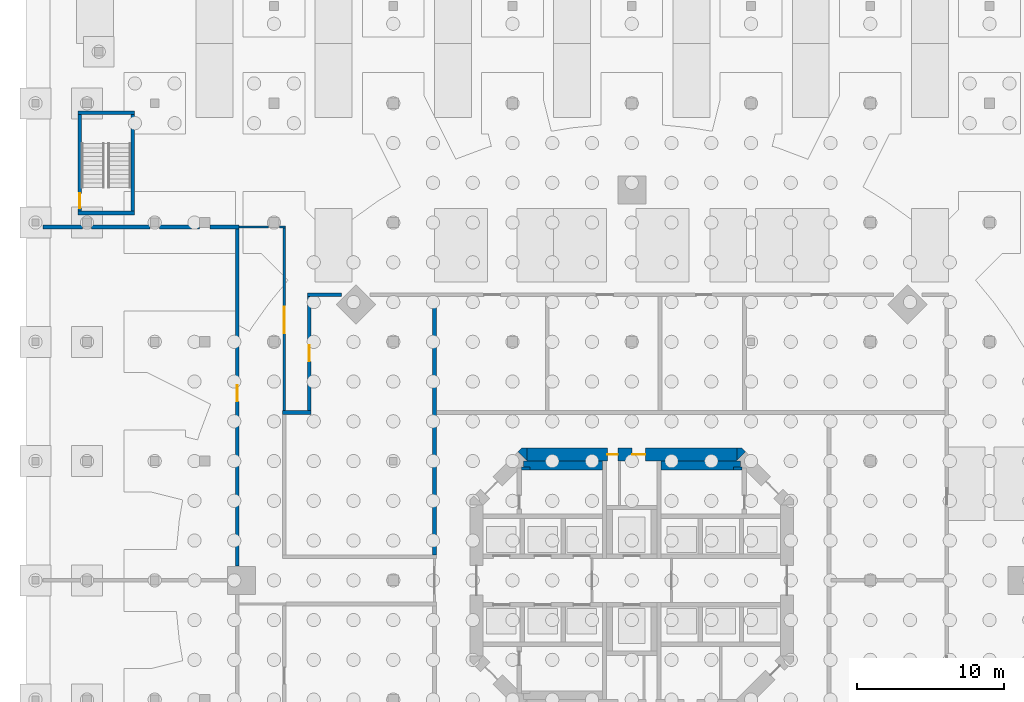
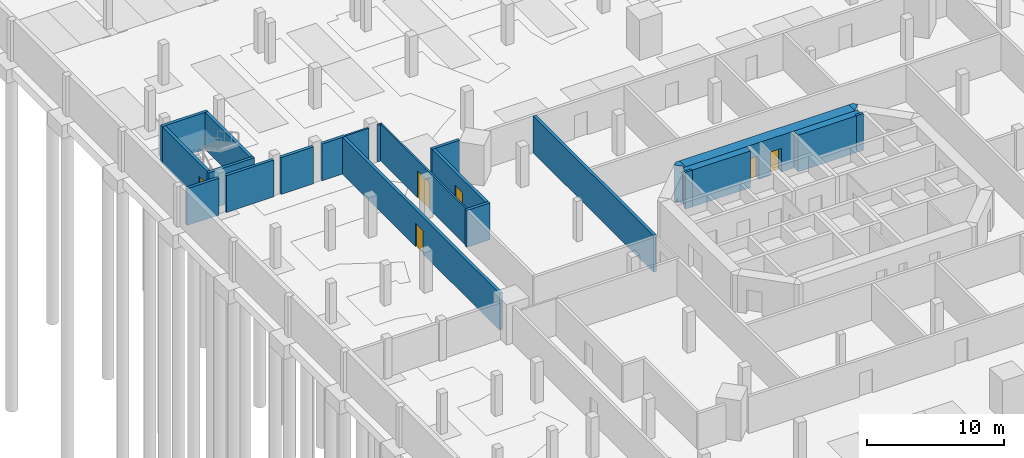
# One storey, part 17 of 23: 23 walls, 6 doors, 6 openings.
"""IFC4 building model written with IfcOpenShell, lengths in metres."""

import ifcopenshell
import ifcopenshell.guid

model = None  # the IFC model being written
_history = None  # IfcOwnerHistory: only IFC2X3 demands one
_inside = {}  # id of a spatial element -> (the spatial element, [elements in it])
_under = {}  # id of a project, library or spatial element -> (it, [spatial elements below it])
_declared = {}  # id of a project -> (the project, [libraries it declares])
_typed = {}  # id of a type object -> (the type object, [elements of that type])
_made_of = {}  # id of a material, layer set ... -> (it, [elements and type objects made of it])


def new_model(schema):
    """Start an empty IFC model of exactly this schema.

    Asked for "IFC4X3", IfcOpenShell would pick the latest addendum, in which some entities
    have other attributes; the version numbers below select the first issue.
    IFC2X3 requires an IfcOwnerHistory on every rooted entity: one is made here for all.
    """
    global model, _history
    if schema == "IFC4X3":
        model = ifcopenshell.file(schema_version=(4, 3, 0, 0))
    else:
        model = ifcopenshell.file(schema=schema)
    _inside.clear()
    _under.clear()
    _declared.clear()
    _typed.clear()
    _made_of.clear()
    _history = None
    if model.schema == "IFC2X3":
        org = make("IfcOrganization", Name="unknown")
        user = make(
            "IfcPersonAndOrganization",
            ThePerson=make("IfcPerson", FamilyName="unknown"),
            TheOrganization=org,
        )
        app = make(
            "IfcApplication",
            ApplicationDeveloper=org,
            Version="unknown",
            ApplicationFullName="unknown",
            ApplicationIdentifier="unknown",
        )
        _history = make(
            "IfcOwnerHistory",
            OwningUser=user,
            OwningApplication=app,
            ChangeAction="ADDED",
            CreationDate=0,
        )
    return model


def make(cls, **values):
    """One entity of the class cls with the attributes given. An attribute that is None is left unset."""
    return model.create_entity(
        cls, **{name: value for name, value in values.items() if value is not None}
    )


def rooted(cls, **values):
    """An entity with a GlobalId (a new one), such as an element, a storey or a relation."""
    return make(cls, GlobalId=ifcopenshell.guid.new(), OwnerHistory=_history, **values)


def si_unit(unit_type, name, prefix=None):
    """IfcSIUnit, for example si_unit("LENGTHUNIT", "METRE", prefix="MILLI")."""
    return make("IfcSIUnit", UnitType=unit_type, Prefix=prefix, Name=name)


def assignment(units):
    """IfcUnitAssignment: the units of a project."""
    return None if units is None else make("IfcUnitAssignment", Units=units)


def point(xyz):
    """IfcCartesianPoint."""
    return None if xyz is None else make("IfcCartesianPoint", Coordinates=xyz)


def direction(xyz):
    """IfcDirection."""
    return None if xyz is None else make("IfcDirection", DirectionRatios=xyz)


def frame(location, z_axis=None, x_axis=None):
    """IfcAxis2Placement3D, a coordinate frame: its origin and axes. An axis left out is left unset."""
    return make(
        "IfcAxis2Placement3D",
        Location=point(location),
        Axis=direction(z_axis),
        RefDirection=direction(x_axis),
    )


def frame_2d(location, x_axis=None):
    """IfcAxis2Placement2D, a coordinate frame in the plane: its origin and x axis."""
    return make(
        "IfcAxis2Placement2D", Location=point(location), RefDirection=direction(x_axis)
    )


def origin():
    """The frame at (0, 0, 0) with its axes left unset."""
    return frame((0.0, 0.0, 0.0))


def place(relative_to, where):
    """IfcLocalPlacement: puts the frame where relative to a parent placement (None: the world)."""
    return make(
        "IfcLocalPlacement", PlacementRelTo=relative_to, RelativePlacement=where
    )


def context(
    kind, dimensions, precision=None, world=None, true_north=None, identifier=None
):
    """IfcGeometricRepresentationContext, for example the 3D "Model" context."""
    return make(
        "IfcGeometricRepresentationContext",
        ContextIdentifier=identifier,
        ContextType=kind,
        CoordinateSpaceDimension=dimensions,
        Precision=precision,
        WorldCoordinateSystem=world,
        TrueNorth=true_north,
    )


def subcontext(parent, identifier, kind, view, scale=None):
    """IfcGeometricRepresentationSubContext, for example "Body" below "Model"."""
    return make(
        "IfcGeometricRepresentationSubContext",
        ContextIdentifier=identifier,
        ContextType=kind,
        ParentContext=parent,
        TargetScale=scale,
        TargetView=view,
    )


def project(units=None, contexts=None):
    """IfcProject with its units and contexts."""
    return rooted(
        "IfcProject",
        Name="project",
        RepresentationContexts=contexts,
        UnitsInContext=assignment(units),
    )


def spatial(cls, under=None, at=None, **own):
    """A site, building, storey or space (cls), placed at a placement, below another one or the project."""
    s = rooted(cls, ObjectPlacement=at, **own)
    if under is not None:
        _under.setdefault(under.id(), (under, []))[1].append(s)
    return s


def polyline(points):
    """IfcPolyline through the points."""
    return make("IfcPolyline", Points=[point(p) for p in points])


def profile(cls, at=None, kind="AREA", **sizes):
    """A parametric profile (cls). Its sizes go by their IFC names, for example OverallWidth=200.0."""
    return make(cls, ProfileType=kind, Position=at, **sizes)


def rectangle(**sizes):
    """IfcRectangleProfileDef."""
    return profile("IfcRectangleProfileDef", **sizes)


def outline(outer, holes=None, kind="AREA"):
    """IfcArbitraryClosedProfileDef: a profile drawn as a closed curve; with holes, ...WithVoids."""
    if holes is None:
        return make("IfcArbitraryClosedProfileDef", ProfileType=kind, OuterCurve=outer)
    return make(
        "IfcArbitraryProfileDefWithVoids",
        ProfileType=kind,
        OuterCurve=outer,
        InnerCurves=holes,
    )


def extrude(swept, where, along, depth):
    """IfcExtrudedAreaSolid: the profile swept, set in the frame where, extruded along a direction by depth."""
    return make(
        "IfcExtrudedAreaSolid",
        SweptArea=swept,
        Position=where,
        ExtrudedDirection=direction(along),
        Depth=depth,
    )


def shape(context_of_items, identifier, shape_type, items):
    """IfcShapeRepresentation: the items that make up one representation, for example the "Body"."""
    return make(
        "IfcShapeRepresentation",
        ContextOfItems=context_of_items,
        RepresentationIdentifier=identifier,
        RepresentationType=shape_type,
        Items=items,
    )


def material(Name=None, Category=None):
    """IfcMaterial."""
    return make("IfcMaterial", Name=Name, Category=Category)


def layer(
    of_material, thickness, ventilated=None, Name=None, Category=None, Priority=None
):
    """IfcMaterialLayer: one layer of a wall or slab, of a material (None: an air gap)."""
    return make(
        "IfcMaterialLayer",
        Material=of_material,
        LayerThickness=thickness,
        IsVentilated=ventilated,
        Name=Name,
        Category=Category,
        Priority=Priority,
    )


def layer_set(layers, Name=None):
    """IfcMaterialLayerSet."""
    return make("IfcMaterialLayerSet", MaterialLayers=layers, LayerSetName=Name)


def made_of(thing, what):
    """Note that an element or type object is made of a material, layer set ...; save() writes the relation."""
    if what is not None:
        _made_of.setdefault(what.id(), (what, []))[1].append(thing)
    return thing


def type_object(cls, material=None, **own):
    """A type object (cls), such as IfcWallType, which elements share."""
    return made_of(rooted(cls, **own), material)


def element(
    cls,
    number,
    at=None,
    inside=None,
    cuts=None,
    type_object=None,
    material=None,
    context=None,
    identifier="Body",
    shape_type=None,
    held_by="IfcProductDefinitionShape",
    body=None,
    shapes=None,
    **own,
):
    """One element of the class cls, such as IfcWall. Its Tag is "e" and its number.

    at: its placement. inside: the storey or other place that contains it. cuts: it is an
    opening in that element (IfcRelVoidsElement). A single representation is given by context,
    identifier, shape_type and body (its items); several are given by shapes. held_by: the class
    of the entity that holds the representations. save() writes the other relations.
    """
    e = rooted(cls, Tag="e%d" % number, ObjectPlacement=at, **own)
    if body is not None:
        shapes = [shape(context, identifier, shape_type, body)]
    if shapes is not None:
        e.Representation = make(held_by, Representations=shapes)
    if inside is not None:
        _inside.setdefault(inside.id(), (inside, []))[1].append(e)
    if cuts is not None:
        rooted(
            "IfcRelVoidsElement", RelatingBuildingElement=cuts, RelatedOpeningElement=e
        )
    if type_object is not None:
        _typed.setdefault(type_object.id(), (type_object, []))[1].append(e)
    return made_of(e, material)


def fill(opening, filler):
    """IfcRelFillsElement: the door or window that sits in an opening."""
    return rooted(
        "IfcRelFillsElement",
        RelatingOpeningElement=opening,
        RelatedBuildingElement=filler,
    )


def aggregate(whole, parts):
    """IfcRelAggregates: a whole, such as a stair, and the parts it consists of."""
    return rooted("IfcRelAggregates", RelatingObject=whole, RelatedObjects=parts)


def save(model, path):
    """Write the relations noted so far, then the file.

    IfcRelAggregates (storeys below a building ...), IfcRelContainedInSpatialStructure (elements
    in a storey), IfcRelDefinesByType, IfcRelAssociatesMaterial and IfcRelDeclares: one each for
    every whole, place, type object, material and project.
    """
    for whole, parts in _under.values():
        aggregate(whole, parts)
    for where, things in _inside.values():
        rooted(
            "IfcRelContainedInSpatialStructure",
            RelatedElements=things,
            RelatingStructure=where,
        )
    for kind, things in _typed.values():
        rooted("IfcRelDefinesByType", RelatedObjects=things, RelatingType=kind)
    for what, things in _made_of.values():
        rooted("IfcRelAssociatesMaterial", RelatedObjects=things, RelatingMaterial=what)
    for by, libraries in _declared.values():
        rooted("IfcRelDeclares", RelatingContext=by, RelatedDefinitions=libraries)
    model.write(path)


model = new_model("IFC4")

# Units and contexts
model_context = context("Model", 3, precision=1e-05, world=origin(), true_north=direction((0.0, 1.0)))
body_context = subcontext(model_context, "Body", "Model", "MODEL_VIEW")
ifc_project = project(units=[si_unit("LENGTHUNIT", "METRE"), si_unit("AREAUNIT", "SQUARE_METRE"), si_unit("VOLUMEUNIT", "CUBIC_METRE"), si_unit("PLANEANGLEUNIT", "RADIAN"), si_unit("MASSUNIT", "GRAM", prefix="KILO")], contexts=[model_context])

# Site, building, storey
site_placement = place(None, origin())
site = spatial("IfcSite", under=ifc_project, at=site_placement, CompositionType="ELEMENT")
building_placement = place(site_placement, origin())
building = spatial("IfcBuilding", under=site, at=building_placement, Name="Torre Triforio", CompositionType="ELEMENT")
storey_placement = place(building_placement, frame((0.0, 0.0, -10.800048828125)))
storey = spatial("IfcBuildingStorey", under=building, at=storey_placement, Name="B3", CompositionType="ELEMENT", Elevation=-10.800048828125)

# Wall, openings, doors
ifc_material_1 = material(Name="Concrete C60", Category="concrete")
ifc_layer_1 = layer(ifc_material_1, 0.89990234375)
ifc_layer_set_1 = layer_set([ifc_layer_1], Name="Concrete C60")
wall_type_1 = type_object("IfcWallType", Name="Core wall 900 mm C60 EI 120", PredefinedType="SHEAR", material=ifc_layer_set_1)
wall_1_placement = place(storey_placement, frame((-7.1298828125, 8.550048828125, 0.0), z_axis=(0.0, 0.0, 1.0), x_axis=(1.0, 0.0, 0.0)))
wall_1 = element("IfcWall", 1, at=wall_1_placement, inside=storey, type_object=wall_type_1, Name="Core wall", PredefinedType="SHEAR", context=body_context, shape_type="SweptSolid", body=[
    extrude(rectangle(XDim=14.259765625, YDim=0.89990234375, at=frame_2d((7.1298828125, 0.0))), origin(), (0.0, 0.0, 1.0), 3.280029296875),
])
opening_1_placement = place(wall_1_placement, frame((5.47998046875, 0.0, 0.0)))
opening_1 = element("IfcOpeningElement", 2, at=opening_1_placement, cuts=wall_1, Name="Opening RISER-N", PredefinedType="OPENING", context=body_context, shape_type="SweptSolid", body=[
    extrude(rectangle(XDim=0.699951171875, YDim=2.10009765625, at=frame_2d((0.35009765625, 1.050048828125))), frame((0.0, 0.4599609375, 0.0), z_axis=(0.0, -1.0, 0.0), x_axis=(1.0, 0.0, 0.0)), (0.0, 0.0, 1.0), 0.919921875),
])
opening_2_placement = place(wall_1_placement, frame((7.155029296875, 0.0, 0.0)))
opening_2 = element("IfcOpeningElement", 3, at=opening_2_placement, cuts=wall_1, Name="Opening NE-01", PredefinedType="OPENING", context=body_context, shape_type="SweptSolid", body=[
    extrude(rectangle(XDim=0.89990234375, YDim=2.10009765625, at=frame_2d((0.449951171875, 1.050048828125))), frame((0.0, 0.4599609375, 0.0), z_axis=(0.0, -1.0, 0.0), x_axis=(1.0, 0.0, 0.0)), (0.0, 0.0, 1.0), 0.919921875),
])
ifc_material_2 = material(Name="Hollow metal fire door leaf")
door_type_1 = type_object("IfcDoorType", Name="Riser door 700 x 2100 EI 60", OperationType="NOTDEFINED", PredefinedType="DOOR", material=ifc_material_2)
door_1_placement = place(opening_1_placement, origin())
door_1 = element("IfcDoor", 4, at=door_1_placement, inside=storey, type_object=door_type_1, Name="Core door RISER-N", OperationType="SINGLE_SWING_LEFT", OverallHeight=2.10009765625, OverallWidth=0.699951171875, PredefinedType="DOOR", context=body_context, shape_type="SweptSolid", body=[
    extrude(rectangle(XDim=0.699951171875, YDim=2.10009765625, at=frame_2d((0.35009765625, 1.050048828125))), frame((0.0, 0.02490234375, 0.0), z_axis=(0.0, -1.0, 0.0), x_axis=(1.0, 0.0, 0.0)), (0.0, 0.0, 1.0), 0.050048828125),
])
fill(opening_1, door_1)
door_type_2 = type_object("IfcDoorType", Name="Room door 900 x 2100 EI 60", OperationType="NOTDEFINED", PredefinedType="DOOR", material=ifc_material_2)
door_2_placement = place(opening_2_placement, origin())
door_2 = element("IfcDoor", 5, at=door_2_placement, inside=storey, type_object=door_type_2, Name="Core door NE-01", OperationType="SINGLE_SWING_LEFT", OverallHeight=2.10009765625, OverallWidth=0.89990234375, PredefinedType="DOOR", context=body_context, shape_type="SweptSolid", body=[
    extrude(rectangle(XDim=0.89990234375, YDim=2.10009765625, at=frame_2d((0.449951171875, 1.050048828125))), frame((0.0, 0.02490234375, 0.0), z_axis=(0.0, -1.0, 0.0), x_axis=(1.0, 0.0, 0.0)), (0.0, 0.0, 1.0), 0.050048828125),
])
fill(opening_2, door_2)

# Walls
wall_2_placement = place(storey_placement, origin())
element("IfcWall", 6, at=wall_2_placement, inside=storey, type_object=wall_type_1, Name="Core wall", PredefinedType="SHEAR", context=body_context, shape_type="SweptSolid", body=[
    extrude(outline(polyline([(-7.472900390625, 9.0), (-7.1298828125, 9.0), (-7.1298828125, 8.1298828125), (-7.736328125, 8.736328125), (-7.472900390625, 9.0)])), origin(), (0.0, 0.0, 1.0), 3.280029296875),
])
wall_3_placement = place(storey_placement, origin())
element("IfcWall", 7, at=wall_3_placement, inside=storey, type_object=wall_type_1, Name="Core wall", PredefinedType="SHEAR", context=body_context, shape_type="SweptSolid", body=[
    extrude(outline(polyline([(7.472900390625, 9.0), (7.736328125, 8.736328125), (7.1298828125, 8.1298828125), (7.1298828125, 9.0), (7.472900390625, 9.0)])), origin(), (0.0, 0.0, 1.0), 3.280029296875),
])
ifc_material_3 = material(Name="Plasterboard on metal studs")
ifc_layer_2 = layer(ifc_material_3, 0.14990234375)
ifc_layer_set_2 = layer_set([ifc_layer_2], Name="Plasterboard on metal studs")
wall_type_2 = type_object("IfcWallType", Name="Corridor wall 150 EI 60", PredefinedType="PARTITIONING", material=ifc_layer_set_2)
wall_4_placement = place(storey_placement, frame((-26.675048828125, 24.0, 0.0), z_axis=(0.0, 0.0, 1.0), x_axis=(1.0, 0.0, 0.0)))
element("IfcWall", 8, at=wall_4_placement, inside=storey, type_object=wall_type_2, Name="Corridor wall B3 026", PredefinedType="PARTITIONING", context=body_context, shape_type="SweptSolid", body=[
    extrude(rectangle(XDim=2.01513671875, YDim=0.14990234375, at=frame_2d((1.007568359375, 0.0))), origin(), (0.0, 0.0, 1.0), 3.280029296875),
])
wall_5_placement = place(storey_placement, frame((-23.93994140625, 24.0, 0.0), z_axis=(0.0, 0.0, 1.0), x_axis=(1.0, 0.0, 0.0)))
element("IfcWall", 9, at=wall_5_placement, inside=storey, type_object=wall_type_2, Name="Corridor wall B3 027", PredefinedType="PARTITIONING", context=body_context, shape_type="SweptSolid", body=[
    extrude(rectangle(XDim=0.4150390625, YDim=0.14990234375, at=frame_2d((0.20751953125, 0.0))), origin(), (0.0, 0.0, 1.0), 3.280029296875),
])

# Wall, opening, door
wall_6_placement = place(storey_placement, frame((-23.60009765625, 11.52490234375, 0.0), z_axis=(0.0, 0.0, 1.0), x_axis=(0.0, 1.0, 0.0)))
wall_6 = element("IfcWall", 10, at=wall_6_placement, inside=storey, type_object=wall_type_2, Name="Corridor wall B3 028", PredefinedType="PARTITIONING", context=body_context, shape_type="SweptSolid", body=[
    extrude(rectangle(XDim=12.400146484375, YDim=0.14990234375, at=frame_2d((6.2001953125, 0.0))), origin(), (0.0, 0.0, 1.0), 3.280029296875),
])
opening_3_placement = place(wall_6_placement, frame((5.25, 0.0, 0.0)))
opening_3 = element("IfcOpeningElement", 11, at=opening_3_placement, cuts=wall_6, Name="Opening BS3-19", PredefinedType="OPENING", context=body_context, shape_type="SweptSolid", body=[
    extrude(rectangle(XDim=1.800048828125, YDim=2.39990234375, at=frame_2d((0.89990234375, 1.199951171875))), frame((0.0, 0.0849609375, 0.0), z_axis=(0.0, -1.0, 0.0), x_axis=(1.0, 0.0, 0.0)), (0.0, 0.0, 1.0), 0.169921875),
])
ifc_material_4 = material(Name="Timber door leaf", Category="wood")
door_type_3 = type_object("IfcDoorType", Name="Double door 1800 x 2400 EI 60", OperationType="NOTDEFINED", PredefinedType="DOOR", material=ifc_material_4)
door_3_placement = place(opening_3_placement, origin())
door_3 = element("IfcDoor", 12, at=door_3_placement, inside=storey, type_object=door_type_3, Name="Door BS3-19", OperationType="SINGLE_SWING_LEFT", OverallHeight=2.39990234375, OverallWidth=1.800048828125, PredefinedType="DOOR", context=body_context, shape_type="SweptSolid", body=[
    extrude(rectangle(XDim=1.800048828125, YDim=2.39990234375, at=frame_2d((0.89990234375, 1.199951171875))), frame((0.0, 0.02490234375, 0.0), z_axis=(0.0, -1.0, 0.0), x_axis=(1.0, 0.0, 0.0)), (0.0, 0.0, 1.0), 0.050048828125),
])
fill(opening_3, door_3)

# Walls
ifc_material_5 = material(Name="Masonry block", Category="masonry")
ifc_layer_3 = layer(ifc_material_5, 0.25)
ifc_layer_set_3 = layer_set([ifc_layer_3], Name="Masonry block")
wall_type_3 = type_object("IfcWallType", Name="Plant room wall 250 EI 120", PredefinedType="PARTITIONING", material=ifc_layer_set_3)
wall_7_placement = place(storey_placement, frame((-40.0, 24.0, 0.0), z_axis=(0.0, 0.0, 1.0), x_axis=(1.0, 0.0, 0.0)))
element("IfcWall", 13, at=wall_7_placement, inside=storey, type_object=wall_type_3, Name="Plant room wall B3 036", PredefinedType="PARTITIONING", context=body_context, shape_type="SweptSolid", body=[
    extrude(rectangle(XDim=2.68994140625, YDim=0.25, at=frame_2d((1.344970703125, 0.0))), origin(), (0.0, 0.0, 1.0), 3.280029296875),
])
wall_8_placement = place(storey_placement, frame((-36.68994140625, 24.0, 0.0), z_axis=(0.0, 0.0, 1.0), x_axis=(1.0, 0.0, 0.0)))
element("IfcWall", 14, at=wall_8_placement, inside=storey, type_object=wall_type_3, Name="Plant room wall B3 037", PredefinedType="PARTITIONING", context=body_context, shape_type="SweptSolid", body=[
    extrude(rectangle(XDim=3.97998046875, YDim=0.25, at=frame_2d((1.989990234375, 0.0))), origin(), (0.0, 0.0, 1.0), 3.280029296875),
])
wall_9_placement = place(storey_placement, frame((-32.090087890625, 24.0, 0.0), z_axis=(0.0, 0.0, 1.0), x_axis=(1.0, 0.0, 0.0)))
element("IfcWall", 15, at=wall_9_placement, inside=storey, type_object=wall_type_3, Name="Plant room wall B3 038", PredefinedType="PARTITIONING", context=body_context, shape_type="SweptSolid", body=[
    extrude(rectangle(XDim=2.72998046875, YDim=0.25, at=frame_2d((1.364990234375, 0.0))), origin(), (0.0, 0.0, 1.0), 3.280029296875),
])
wall_10_placement = place(storey_placement, frame((-28.639892578125, 24.0, 0.0), z_axis=(0.0, 0.0, 1.0), x_axis=(1.0, 0.0, 0.0)))
element("IfcWall", 16, at=wall_10_placement, inside=storey, type_object=wall_type_3, Name="Plant room wall B3 039", PredefinedType="PARTITIONING", context=body_context, shape_type="SweptSolid", body=[
    extrude(rectangle(XDim=1.96484375, YDim=0.25, at=frame_2d((0.982421875, 0.0))), origin(), (0.0, 0.0, 1.0), 3.280029296875),
])
wall_11_placement = place(storey_placement, frame((-23.72509765625, 11.39990234375, 0.0), z_axis=(0.0, 0.0, 1.0), x_axis=(1.0, 0.0, 0.0)))
element("IfcWall", 17, at=wall_11_placement, inside=storey, type_object=wall_type_3, Name="Plant room wall B3 040", PredefinedType="PARTITIONING", context=body_context, shape_type="SweptSolid", body=[
    extrude(rectangle(XDim=1.9501953125, YDim=0.25, at=frame_2d((0.97509765625, 0.0))), origin(), (0.0, 0.0, 1.0), 3.280029296875),
])
wall_12_placement = place(storey_placement, frame((-22.02490234375, 19.39990234375, 0.0), z_axis=(0.0, 0.0, 1.0), x_axis=(1.0, 0.0, 0.0)))
element("IfcWall", 18, at=wall_12_placement, inside=storey, type_object=wall_type_3, Name="Plant room wall B3 041", PredefinedType="PARTITIONING", context=body_context, shape_type="SweptSolid", body=[
    extrude(rectangle(XDim=2.32666015625, YDim=0.25, at=frame_2d((1.163330078125, 0.0))), origin(), (0.0, 0.0, 1.0), 3.280029296875),
])

# Wall, opening, door
wall_13_placement = place(storey_placement, frame((-21.89990234375, 11.52490234375, 0.0), z_axis=(0.0, 0.0, 1.0), x_axis=(0.0, 1.0, 0.0)))
wall_13 = element("IfcWall", 19, at=wall_13_placement, inside=storey, type_object=wall_type_3, Name="Plant room wall B3 043", PredefinedType="PARTITIONING", context=body_context, shape_type="SweptSolid", body=[
    extrude(rectangle(XDim=7.75, YDim=0.25, at=frame_2d((3.875, 0.0))), origin(), (0.0, 0.0, 1.0), 3.280029296875),
])
opening_4_placement = place(wall_13_placement, frame((3.35009765625, 0.0, 0.0)))
opening_4 = element("IfcOpeningElement", 20, at=opening_4_placement, cuts=wall_13, Name="Opening BS3-17", PredefinedType="OPENING", context=body_context, shape_type="SweptSolid", body=[
    extrude(rectangle(XDim=1.10009765625, YDim=2.10009765625, at=frame_2d((0.550048828125, 1.050048828125))), frame((0.0, 0.135009765625, 0.0), z_axis=(0.0, -1.0, 0.0), x_axis=(1.0, 0.0, 0.0)), (0.0, 0.0, 1.0), 0.27001953125),
])
door_type_4 = type_object("IfcDoorType", Name="Plant room door 1100 x 2100 EI 60", OperationType="NOTDEFINED", PredefinedType="DOOR", material=ifc_material_2)
door_4_placement = place(opening_4_placement, origin())
door_4 = element("IfcDoor", 21, at=door_4_placement, inside=storey, type_object=door_type_4, Name="Door BS3-17", OperationType="SINGLE_SWING_LEFT", OverallHeight=2.10009765625, OverallWidth=1.10009765625, PredefinedType="DOOR", context=body_context, shape_type="SweptSolid", body=[
    extrude(rectangle(XDim=1.10009765625, YDim=2.10009765625, at=frame_2d((0.550048828125, 1.050048828125))), frame((0.0, 0.02490234375, 0.0), z_axis=(0.0, -1.0, 0.0), x_axis=(1.0, 0.0, 0.0)), (0.0, 0.0, 1.0), 0.050048828125),
])
fill(opening_4, door_4)

wall_14_placement = place(storey_placement, frame((-26.800048828125, 0.9599609375, 0.0), z_axis=(0.0, 0.0, 1.0), x_axis=(0.0, 1.0, 0.0)))
wall_14 = element("IfcWall", 22, at=wall_14_placement, inside=storey, type_object=wall_type_3, Name="Plant room wall B3 050", PredefinedType="PARTITIONING", context=body_context, shape_type="SweptSolid", body=[
    extrude(rectangle(XDim=22.9150390625, YDim=0.25, at=frame_2d((11.45751953125, 0.0))), origin(), (0.0, 0.0, 1.0), 3.280029296875),
])
opening_5_placement = place(wall_14_placement, frame((11.18994140625, 0.0, 0.0)))
opening_5 = element("IfcOpeningElement", 23, at=opening_5_placement, cuts=wall_14, Name="Opening BS3-16", PredefinedType="OPENING", context=body_context, shape_type="SweptSolid", body=[
    extrude(rectangle(XDim=1.10009765625, YDim=2.10009765625, at=frame_2d((0.550048828125, 1.050048828125))), frame((0.0, 0.135009765625, 0.0), z_axis=(0.0, -1.0, 0.0), x_axis=(1.0, 0.0, 0.0)), (0.0, 0.0, 1.0), 0.27001953125),
])
door_5_placement = place(opening_5_placement, origin())
door_5 = element("IfcDoor", 24, at=door_5_placement, inside=storey, type_object=door_type_4, Name="Door BS3-16", OperationType="SINGLE_SWING_LEFT", OverallHeight=2.10009765625, OverallWidth=1.10009765625, PredefinedType="DOOR", context=body_context, shape_type="SweptSolid", body=[
    extrude(rectangle(XDim=1.10009765625, YDim=2.10009765625, at=frame_2d((0.550048828125, 1.050048828125))), frame((0.0, 0.02490234375, 0.0), z_axis=(0.0, -1.0, 0.0), x_axis=(1.0, 0.0, 0.0)), (0.0, 0.0, 1.0), 0.050048828125),
])
fill(opening_5, door_5)

# Walls
wall_15_placement = place(storey_placement, frame((-13.39990234375, 1.72509765625, 0.0), z_axis=(0.0, 0.0, 1.0), x_axis=(0.0, 1.0, 0.0)))
element("IfcWall", 25, at=wall_15_placement, inside=storey, type_object=wall_type_3, Name="Plant room wall B3 055", PredefinedType="PARTITIONING", context=body_context, shape_type="SweptSolid", body=[
    extrude(rectangle(XDim=17.5498046875, YDim=0.25, at=frame_2d((8.77490234375, 0.0))), origin(), (0.0, 0.0, 1.0), 3.280029296875),
])
ifc_material_6 = material(Name="Concrete C40", Category="concrete")
ifc_layer_4 = layer(ifc_material_6, 0.25)
ifc_layer_set_4 = layer_set([ifc_layer_4], Name="Concrete C40")
wall_type_4 = type_object("IfcWallType", Name="Stair enclosure wall 250 EI 120", PredefinedType="STANDARD", material=ifc_layer_set_4)
for number, where, z_axis, x_axis, name in (
    (26, (-37.625, 24.949951171875, 0.0), (0.0, 0.0, 1.0), (1.0, 0.0, 0.0), "Stair enclosure wall B3 005"),
    (27, (-37.625, 31.75, 0.0), (0.0, 0.0, 1.0), (1.0, 0.0, 0.0), "Stair enclosure wall B3 006"),
):
    element("IfcWall", number, at=place(storey_placement, frame(where, z_axis=z_axis, x_axis=x_axis)), inside=storey, type_object=wall_type_4, Name=name, PredefinedType="STANDARD", context=body_context, shape_type="SweptSolid", body=[
        extrude(rectangle(XDim=3.85009765625, YDim=0.25, at=frame_2d((1.925048828125, 0.0))), origin(), (0.0, 0.0, 1.0), 3.280029296875),
    ])

# Wall, opening, door
wall_16_placement = place(storey_placement, frame((-37.5, 25.074951171875, 0.0), z_axis=(0.0, 0.0, 1.0), x_axis=(0.0, 1.0, 0.0)))
wall_16 = element("IfcWall", 28, at=wall_16_placement, inside=storey, type_object=wall_type_4, Name="Stair enclosure wall B3 007", PredefinedType="STANDARD", context=body_context, shape_type="SweptSolid", body=[
    extrude(rectangle(XDim=6.550048828125, YDim=0.25, at=frame_2d((3.27490234375, 0.0))), origin(), (0.0, 0.0, 1.0), 3.280029296875),
])
opening_6_placement = place(wall_16_placement, frame((0.199951171875, 0.0, 0.0)))
opening_6 = element("IfcOpeningElement", 29, at=opening_6_placement, cuts=wall_16, Name="Opening BS3-02", PredefinedType="OPENING", context=body_context, shape_type="SweptSolid", body=[
    extrude(rectangle(XDim=1.0, YDim=2.10009765625, at=frame_2d((0.5, 1.050048828125))), frame((0.0, 0.135009765625, 0.0), z_axis=(0.0, -1.0, 0.0), x_axis=(1.0, 0.0, 0.0)), (0.0, 0.0, 1.0), 0.27001953125),
])
door_type_5 = type_object("IfcDoorType", Name="Stair door 1000 x 2100 EI 90", OperationType="NOTDEFINED", PredefinedType="DOOR", material=ifc_material_2)
door_6_placement = place(opening_6_placement, origin())
door_6 = element("IfcDoor", 30, at=door_6_placement, inside=storey, type_object=door_type_5, Name="Door BS3-02", OperationType="SINGLE_SWING_LEFT", OverallHeight=2.10009765625, OverallWidth=1.0, PredefinedType="DOOR", context=body_context, shape_type="SweptSolid", body=[
    extrude(rectangle(XDim=1.0, YDim=2.10009765625, at=frame_2d((0.5, 1.050048828125))), frame((0.0, 0.02490234375, 0.0), z_axis=(0.0, -1.0, 0.0), x_axis=(1.0, 0.0, 0.0)), (0.0, 0.0, 1.0), 0.050048828125),
])
fill(opening_6, door_6)

# Walls
wall_17_placement = place(storey_placement, frame((-33.89990234375, 25.074951171875, 0.0), z_axis=(0.0, 0.0, 1.0), x_axis=(0.0, 1.0, 0.0)))
element("IfcWall", 31, at=wall_17_placement, inside=storey, type_object=wall_type_4, Name="Stair enclosure wall B3 008", PredefinedType="STANDARD", context=body_context, shape_type="SweptSolid", body=[
    extrude(rectangle(XDim=6.550048828125, YDim=0.25, at=frame_2d((3.27490234375, 0.0))), origin(), (0.0, 0.0, 1.0), 3.280029296875),
])
ifc_layer_5 = layer(ifc_material_1, 0.199951171875)
ifc_layer_set_5 = layer_set([ifc_layer_5], Name="Concrete C60")
wall_type_5 = type_object("IfcWallType", Name="Stair wall 200 mm C60 EI 120", PredefinedType="SHEAR", material=ifc_layer_set_5)
for number, where, z_axis, x_axis, name in (
    (32, (-7.5, 7.60009765625, 0.0), (0.0, 0.0, 1.0), (1.0, 0.0, 0.0), "Stair wall"),
    (33, (6.89990234375, 7.60009765625, 0.0), (0.0, 0.0, 1.0), (1.0, 0.0, 0.0), "Stair wall"),
):
    element("IfcWall", number, at=place(storey_placement, frame(where, z_axis=z_axis, x_axis=x_axis)), inside=storey, type_object=wall_type_5, Name=name, PredefinedType="SHEAR", context=body_context, shape_type="SweptSolid", body=[
        extrude(rectangle(XDim=0.60009765625, YDim=0.199951171875, at=frame_2d((0.300048828125, 0.0))), origin(), (0.0, 0.0, 1.0), 3.280029296875),
    ])
ifc_layer_6 = layer(ifc_material_1, 0.60009765625)
ifc_layer_set_6 = layer_set([ifc_layer_6], Name="Concrete C60")
wall_type_6 = type_object("IfcWallType", Name="Stair wall 600 mm C60 EI 120", PredefinedType="SHEAR", material=ifc_layer_set_6)
for number, where, z_axis, x_axis, name in (
    (34, (-7.3701171875, 7.800048828125, 0.0), (0.0, 0.0, 1.0), (1.0, 0.0, 0.0), "Stair wall"),
    (35, (2.0, 7.800048828125, 0.0), (0.0, 0.0, 1.0), (1.0, 0.0, 0.0), "Stair wall"),
):
    element("IfcWall", number, at=place(storey_placement, frame(where, z_axis=z_axis, x_axis=x_axis)), inside=storey, type_object=wall_type_6, Name=name, PredefinedType="SHEAR", context=body_context, shape_type="SweptSolid", body=[
        extrude(rectangle(XDim=5.3701171875, YDim=0.60009765625, at=frame_2d((2.68505859375, 0.0))), origin(), (0.0, 0.0, 1.0), 3.280029296875),
    ])

save(model, "model.ifc")
